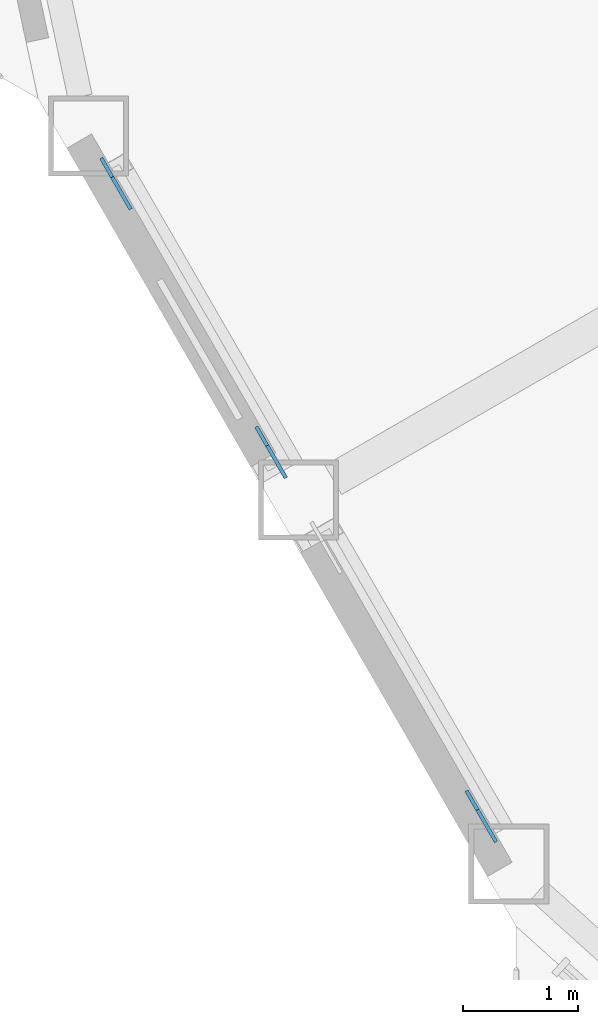
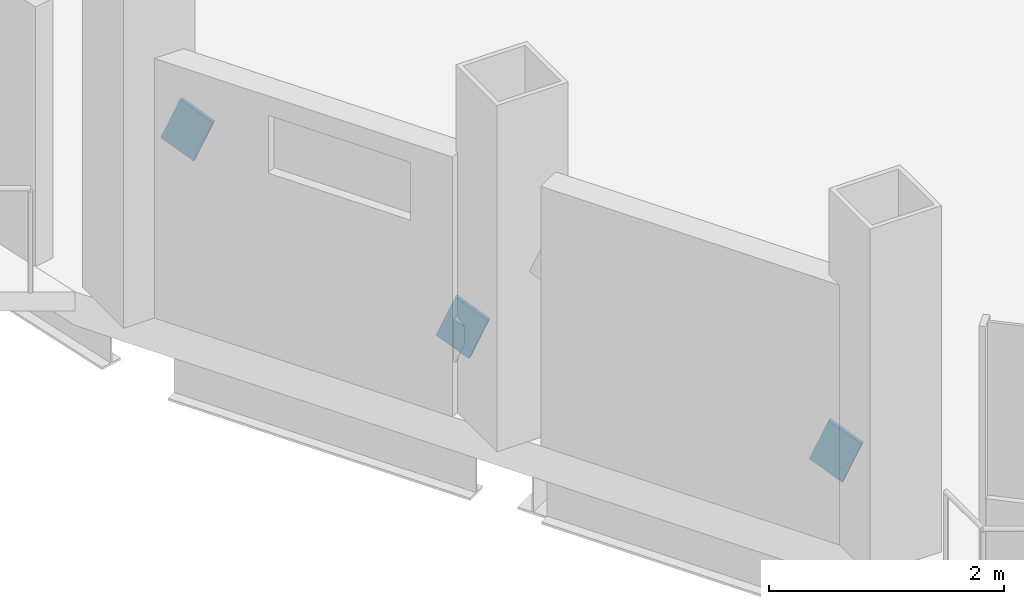
# One storey, part 16 of 23: 3 discrete accessories.
"""IFC4 building model written with IfcOpenShell, lengths in metres."""

from ifc_helpers import new_model, si_unit, direction, frame, origin, origin_2d, place, context, subcontext, project, spatial, rectangle, extrude, material, material_profile, profile_set, type_object, element, save


model = new_model("IFC4")

# Units and contexts
model_context = context("Model", 3, precision=1e-05, world=origin(), true_north=direction((0.0, 1.0)))
body_context = subcontext(model_context, "Body", "Model", "MODEL_VIEW")
ifc_project = project(units=[si_unit("LENGTHUNIT", "METRE"), si_unit("AREAUNIT", "SQUARE_METRE"), si_unit("VOLUMEUNIT", "CUBIC_METRE"), si_unit("PLANEANGLEUNIT", "RADIAN"), si_unit("MASSUNIT", "GRAM", prefix="KILO")], contexts=[model_context])

# Site, building, storey
site_placement = place(None, origin())
site = spatial("IfcSite", under=ifc_project, at=site_placement, CompositionType="ELEMENT")
building_placement = place(site_placement, origin())
building = spatial("IfcBuilding", under=site, at=building_placement, Name="Cormorant Prow Tower", CompositionType="ELEMENT")
storey_placement = place(building_placement, frame((0.0, 0.0, 245.39990234375)))
storey = spatial("IfcBuildingStorey", under=building, at=storey_placement, Name="L54", CompositionType="ELEMENT", Elevation=245.39990234375)

# Discrete accessories
ifc_material = material(Name="Structural steel ASTM A500 Gr C", Category="steel")
ifc_material_profile = material_profile(ifc_material, rectangle(XDim=0.031982421875, YDim=0.506103515625, at=origin_2d()), Name="Gusset plate 32x506")
ifc_profile_set = profile_set([ifc_material_profile], Name="Structural steel ASTM A500 Gr C")
discrete_accessory_type = type_object("IfcDiscreteAccessoryType", Name="Gusset plate 32x506", PredefinedType="BRACKET", material=ifc_profile_set)
discrete_accessory_1_placement = place(storey_placement, frame((-28.09814453125, -15.4794921875, 0.863037109375), z_axis=(0.462949952395, -0.801795851286, -0.37788987078), x_axis=(0.866010015463, 0.500026652407, 0.0)))
element("IfcDiscreteAccessory", 1, at=discrete_accessory_1_placement, inside=storey, type_object=discrete_accessory_type, Name="Gusset plate GP2 L54.WSW00.g0", PredefinedType="BRACKET", context=body_context, shape_type="SweptSolid", body=[
    extrude(rectangle(XDim=0.031982421875, YDim=0.506103515625, at=origin_2d()), origin(), (0.0, 0.0, 1.0), 0.35009765625),
])
discrete_accessory_2_placement = place(storey_placement, frame((-29.2900390625, -13.4150390625, 1.837890625), z_axis=(-0.462538490196, 0.801593854051, 0.378821116405), x_axis=(-0.866147934042, -0.499787711288, 0.0)))
element("IfcDiscreteAccessory", 2, at=discrete_accessory_2_placement, inside=storey, type_object=discrete_accessory_type, Name="Gusset plate GP2 L54.WSW00.g1", PredefinedType="BRACKET", context=body_context, shape_type="SweptSolid", body=[
    extrude(rectangle(XDim=0.031982421875, YDim=0.506103515625, at=origin_2d()), origin(), (0.0, 0.0, 1.0), 0.349853515625),
])
discrete_accessory_3_placement = place(storey_placement, frame((-26.262939453125, -18.658203125, 0.863037109375), z_axis=(0.462949952395, -0.801795851286, -0.37788987078), x_axis=(0.866010015463, 0.500026652407, 0.0)))
element("IfcDiscreteAccessory", 3, at=discrete_accessory_3_placement, inside=storey, type_object=discrete_accessory_type, Name="Gusset plate GP2 L54.WSW01.g0", PredefinedType="BRACKET", context=body_context, shape_type="SweptSolid", body=[
    extrude(rectangle(XDim=0.031982421875, YDim=0.506103515625, at=origin_2d()), origin(), (0.0, 0.0, 1.0), 0.35009765625),
])

save(model, "model.ifc")
